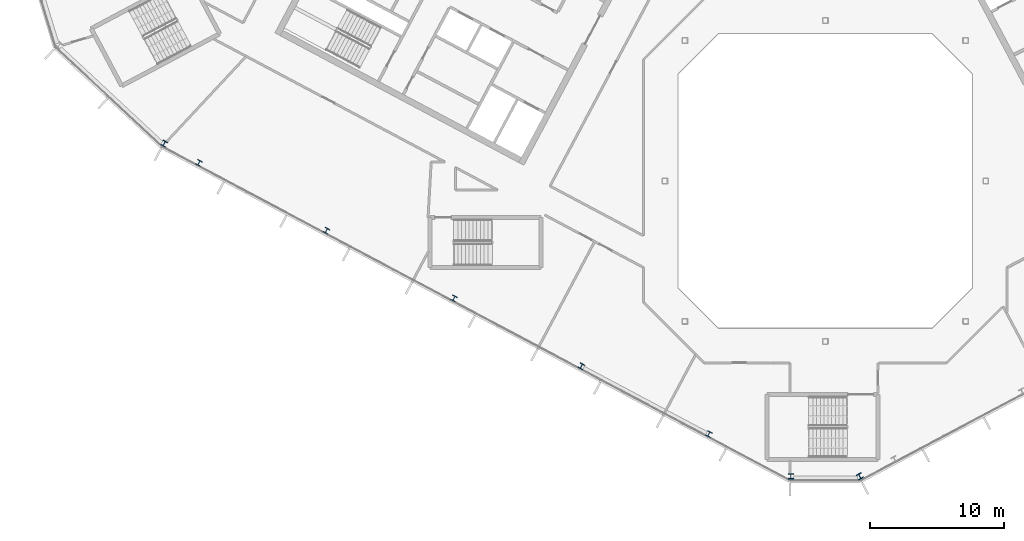
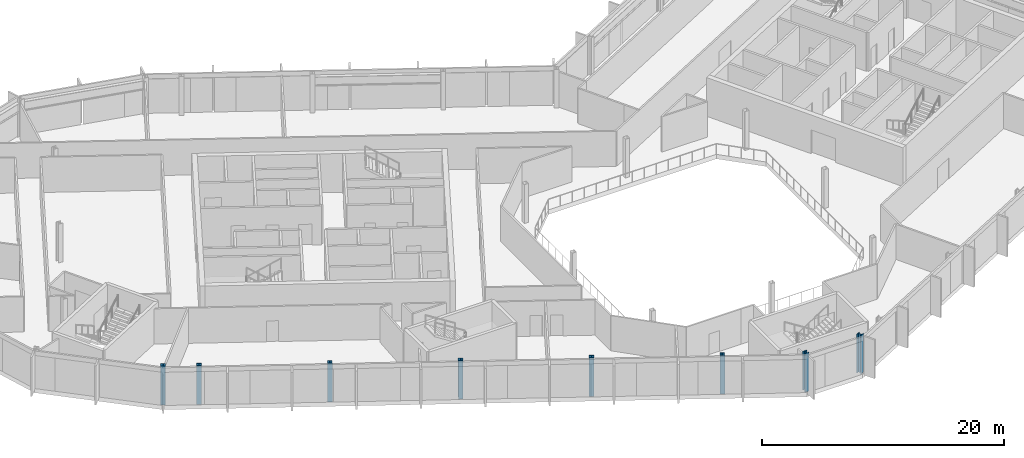
# One storey, part 1 of 26: 8 columns.
"""IFC4 building model written with IfcOpenShell, lengths in metres."""

from ifc_helpers import new_model, si_unit, direction, frame, origin, origin_2d, place, context, subcontext, project, spatial, i_section, extrude, material, material_profile, profile_set, type_object, element, save


model = new_model("IFC4")

# Units and contexts
model_context = context("Model", 3, precision=1e-05, world=origin(), true_north=direction((0.0, 1.0)))
body_context = subcontext(model_context, "Body", "Model", "MODEL_VIEW")
ifc_project = project(units=[si_unit("LENGTHUNIT", "METRE"), si_unit("AREAUNIT", "SQUARE_METRE"), si_unit("VOLUMEUNIT", "CUBIC_METRE"), si_unit("PLANEANGLEUNIT", "RADIAN"), si_unit("MASSUNIT", "GRAM", prefix="KILO")], contexts=[model_context])

# Site, building, storey
site_placement = place(None, origin())
site = spatial("IfcSite", under=ifc_project, at=site_placement, CompositionType="ELEMENT")
building_placement = place(site_placement, origin())
building = spatial("IfcBuilding", under=site, at=building_placement, Name="Cormorant Relay Tower", CompositionType="ELEMENT")
storey_placement = place(building_placement, frame((0.0, 0.0, 320.39990234375)))
storey = spatial("IfcBuildingStorey", under=building, at=storey_placement, Name="L73", CompositionType="ELEMENT", Elevation=320.39990234375)

# Columns
ifc_material_1 = material(Name="Steel ASTM A992 (Fy 345 MPa)", Category="steel")
ifc_material_profile_1 = material_profile(ifc_material_1, i_section(OverallWidth=0.398681640625, OverallDepth=0.385986328125, WebThickness=0.02099609375, FlangeThickness=0.033203125, FilletRadius=0.01513671875, at=origin_2d()), Name="W360x262")
ifc_profile_set_1 = profile_set([ifc_material_profile_1], Name="Steel ASTM A992 (Fy 345 MPa)")
column_type_1 = type_object("IfcColumnType", Name="Column W360x262", PredefinedType="COLUMN", material=ifc_profile_set_1)
for number, where, z_axis, x_axis, name in (
    (1, (-8.705078125, -18.928955078125, 0.0), (0.0, 0.0, 1.0), (0.882947592859, -0.469471562786, 0.0), "Column L73-004"),
    (2, (-18.240966796875, -13.85791015625, 0.0), (0.0, 0.0, 1.0), (0.882947592859, -0.469471562786, 0.0), "Column L73-006"),
    (3, (-27.777099609375, -8.7880859375, 0.0), (0.0, 0.0, 1.0), (0.882947592859, -0.469471562786, 0.0), "Column L73-011"),
    (4, (-37.31298828125, -3.718017578125, 0.0), (0.0, 0.0, 1.0), (0.882947592859, -0.469471562786, 0.0), "Column L73-013"),
    (5, (-46.84912109375, 1.35205078125, 0.0), (0.0, 0.0, 1.0), (0.882947592859, -0.469471562786, 0.0), "Column L73-017"),
):
    element("IfcColumn", number, at=place(storey_placement, frame(where, z_axis=z_axis, x_axis=x_axis)), inside=storey, type_object=column_type_1, Name=name, PredefinedType="COLUMN", context=body_context, shape_type="SweptSolid", body=[
        extrude(i_section(OverallWidth=0.398681640625, OverallDepth=0.385986328125, WebThickness=0.02099609375, FlangeThickness=0.033203125, FilletRadius=0.01513671875, at=origin_2d()), origin(), (0.0, 0.0, 1.0), 3.900146484375),
    ])
ifc_material_2 = material(Name="Steel ASTM A992 (Fy 345 MPa)", Category="steel")
ifc_material_profile_2 = material_profile(ifc_material_2, i_section(OverallWidth=0.40380859375, OverallDepth=0.406494140625, WebThickness=0.027099609375, FlangeThickness=0.043701171875, FilletRadius=0.01513671875, at=origin_2d()), Name="W360x347")
ifc_profile_set_2 = profile_set([ifc_material_profile_2], Name="Steel ASTM A992 (Fy 345 MPa)")
column_type_2 = type_object("IfcColumnType", Name="Column W360x347", PredefinedType="COLUMN", material=ifc_profile_set_2)
for number, where, z_axis, x_axis, name in (
    (6, (-2.5791015625, -22.093994140625, 0.0), (0.0, 0.0, 1.0), (1.0, 0.0, 0.0), "Column L73-001"),
    (7, (2.5791015625, -22.093994140625, 0.0), (0.0, 0.0, 1.0), (0.882947592859, 0.469471562786, 0.0), "Column L73-002"),
    (8, (-49.44091796875, 2.7958984375, 0.0), (0.0, 0.0, 1.0), (0.882947592859, -0.469471562786, 0.0), "Column L73-018"),
):
    element("IfcColumn", number, at=place(storey_placement, frame(where, z_axis=z_axis, x_axis=x_axis)), inside=storey, type_object=column_type_2, Name=name, PredefinedType="COLUMN", context=body_context, shape_type="SweptSolid", body=[
        extrude(i_section(OverallWidth=0.40380859375, OverallDepth=0.406494140625, WebThickness=0.027099609375, FlangeThickness=0.043701171875, FilletRadius=0.01513671875, at=origin_2d()), origin(), (0.0, 0.0, 1.0), 3.900146484375),
    ])

save(model, "model.ifc")
